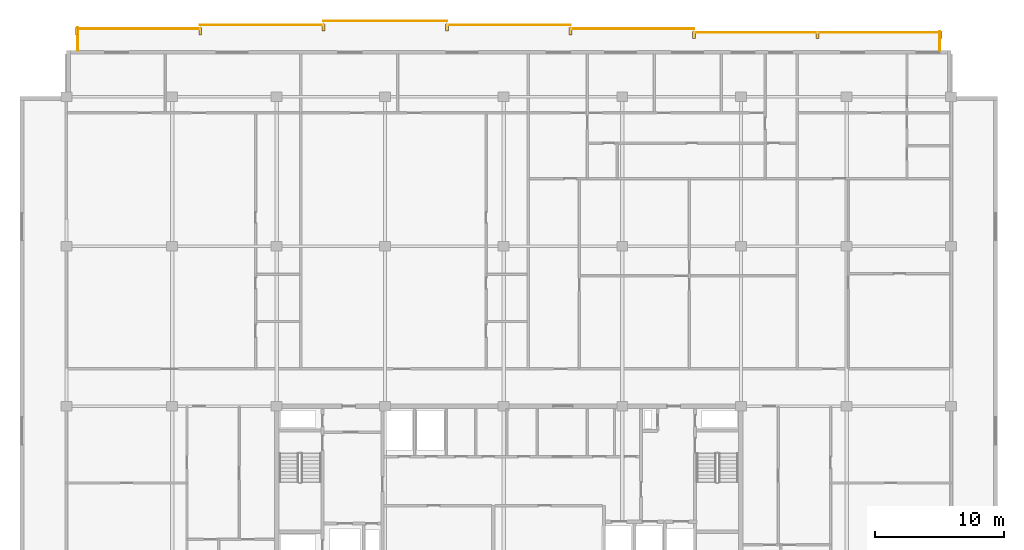
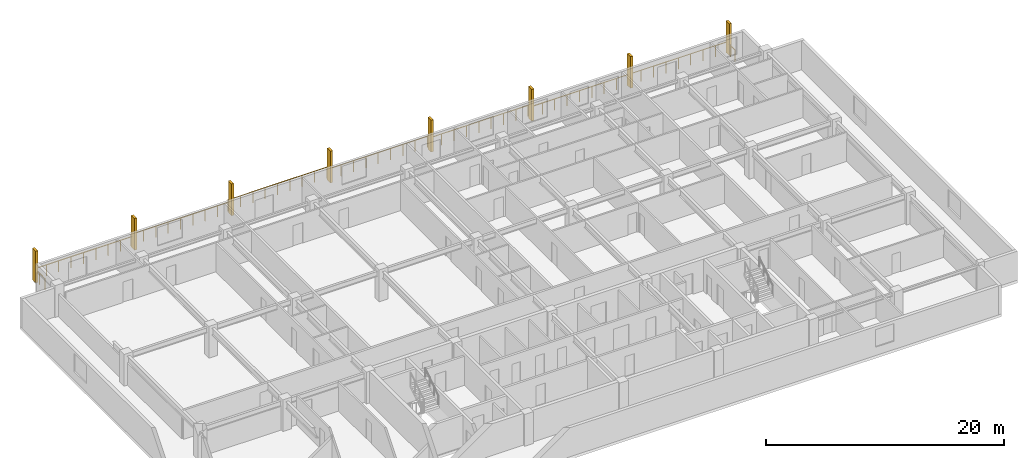
# One storey, part 22 of 22: 8 railings, 8 shading devices.
"""IFC4 building model written with IfcOpenShell, lengths in metres."""

import ifcopenshell
import ifcopenshell.guid

model = None  # the IFC model being written
_history = None  # IfcOwnerHistory: only IFC2X3 demands one
_inside = {}  # id of a spatial element -> (the spatial element, [elements in it])
_under = {}  # id of a project, library or spatial element -> (it, [spatial elements below it])
_declared = {}  # id of a project -> (the project, [libraries it declares])
_typed = {}  # id of a type object -> (the type object, [elements of that type])
_made_of = {}  # id of a material, layer set ... -> (it, [elements and type objects made of it])


def new_model(schema):
    """Start an empty IFC model of exactly this schema.

    Asked for "IFC4X3", IfcOpenShell would pick the latest addendum, in which some entities
    have other attributes; the version numbers below select the first issue.
    IFC2X3 requires an IfcOwnerHistory on every rooted entity: one is made here for all.
    """
    global model, _history
    if schema == "IFC4X3":
        model = ifcopenshell.file(schema_version=(4, 3, 0, 0))
    else:
        model = ifcopenshell.file(schema=schema)
    _inside.clear()
    _under.clear()
    _declared.clear()
    _typed.clear()
    _made_of.clear()
    _history = None
    if model.schema == "IFC2X3":
        org = make("IfcOrganization", Name="unknown")
        user = make(
            "IfcPersonAndOrganization",
            ThePerson=make("IfcPerson", FamilyName="unknown"),
            TheOrganization=org,
        )
        app = make(
            "IfcApplication",
            ApplicationDeveloper=org,
            Version="unknown",
            ApplicationFullName="unknown",
            ApplicationIdentifier="unknown",
        )
        _history = make(
            "IfcOwnerHistory",
            OwningUser=user,
            OwningApplication=app,
            ChangeAction="ADDED",
            CreationDate=0,
        )
    return model


def make(cls, **values):
    """One entity of the class cls with the attributes given. An attribute that is None is left unset."""
    return model.create_entity(
        cls, **{name: value for name, value in values.items() if value is not None}
    )


def rooted(cls, **values):
    """An entity with a GlobalId (a new one), such as an element, a storey or a relation."""
    return make(cls, GlobalId=ifcopenshell.guid.new(), OwnerHistory=_history, **values)


def si_unit(unit_type, name, prefix=None):
    """IfcSIUnit, for example si_unit("LENGTHUNIT", "METRE", prefix="MILLI")."""
    return make("IfcSIUnit", UnitType=unit_type, Prefix=prefix, Name=name)


def assignment(units):
    """IfcUnitAssignment: the units of a project."""
    return None if units is None else make("IfcUnitAssignment", Units=units)


def point(xyz):
    """IfcCartesianPoint."""
    return None if xyz is None else make("IfcCartesianPoint", Coordinates=xyz)


def direction(xyz):
    """IfcDirection."""
    return None if xyz is None else make("IfcDirection", DirectionRatios=xyz)


def frame(location, z_axis=None, x_axis=None):
    """IfcAxis2Placement3D, a coordinate frame: its origin and axes. An axis left out is left unset."""
    return make(
        "IfcAxis2Placement3D",
        Location=point(location),
        Axis=direction(z_axis),
        RefDirection=direction(x_axis),
    )


def frame_2d(location, x_axis=None):
    """IfcAxis2Placement2D, a coordinate frame in the plane: its origin and x axis."""
    return make(
        "IfcAxis2Placement2D", Location=point(location), RefDirection=direction(x_axis)
    )


def origin():
    """The frame at (0, 0, 0) with its axes left unset."""
    return frame((0.0, 0.0, 0.0))


def origin_2d():
    """The frame at (0, 0) in the plane with its x axis left unset."""
    return frame_2d((0.0, 0.0))


def place(relative_to, where):
    """IfcLocalPlacement: puts the frame where relative to a parent placement (None: the world)."""
    return make(
        "IfcLocalPlacement", PlacementRelTo=relative_to, RelativePlacement=where
    )


def context(
    kind, dimensions, precision=None, world=None, true_north=None, identifier=None
):
    """IfcGeometricRepresentationContext, for example the 3D "Model" context."""
    return make(
        "IfcGeometricRepresentationContext",
        ContextIdentifier=identifier,
        ContextType=kind,
        CoordinateSpaceDimension=dimensions,
        Precision=precision,
        WorldCoordinateSystem=world,
        TrueNorth=true_north,
    )


def subcontext(parent, identifier, kind, view, scale=None):
    """IfcGeometricRepresentationSubContext, for example "Body" below "Model"."""
    return make(
        "IfcGeometricRepresentationSubContext",
        ContextIdentifier=identifier,
        ContextType=kind,
        ParentContext=parent,
        TargetScale=scale,
        TargetView=view,
    )


def project(units=None, contexts=None):
    """IfcProject with its units and contexts."""
    return rooted(
        "IfcProject",
        Name="project",
        RepresentationContexts=contexts,
        UnitsInContext=assignment(units),
    )


def spatial(cls, under=None, at=None, **own):
    """A site, building, storey or space (cls), placed at a placement, below another one or the project."""
    s = rooted(cls, ObjectPlacement=at, **own)
    if under is not None:
        _under.setdefault(under.id(), (under, []))[1].append(s)
    return s


def profile(cls, at=None, kind="AREA", **sizes):
    """A parametric profile (cls). Its sizes go by their IFC names, for example OverallWidth=200.0."""
    return make(cls, ProfileType=kind, Position=at, **sizes)


def rectangle(**sizes):
    """IfcRectangleProfileDef."""
    return profile("IfcRectangleProfileDef", **sizes)


def circle(**sizes):
    """IfcCircleProfileDef."""
    return profile("IfcCircleProfileDef", **sizes)


def extrude(swept, where, along, depth):
    """IfcExtrudedAreaSolid: the profile swept, set in the frame where, extruded along a direction by depth."""
    return make(
        "IfcExtrudedAreaSolid",
        SweptArea=swept,
        Position=where,
        ExtrudedDirection=direction(along),
        Depth=depth,
    )


def shape(context_of_items, identifier, shape_type, items):
    """IfcShapeRepresentation: the items that make up one representation, for example the "Body"."""
    return make(
        "IfcShapeRepresentation",
        ContextOfItems=context_of_items,
        RepresentationIdentifier=identifier,
        RepresentationType=shape_type,
        Items=items,
    )


def material(Name=None, Category=None):
    """IfcMaterial."""
    return make("IfcMaterial", Name=Name, Category=Category)


def made_of(thing, what):
    """Note that an element or type object is made of a material, layer set ...; save() writes the relation."""
    if what is not None:
        _made_of.setdefault(what.id(), (what, []))[1].append(thing)
    return thing


def type_object(cls, material=None, **own):
    """A type object (cls), such as IfcWallType, which elements share."""
    return made_of(rooted(cls, **own), material)


def element(
    cls,
    number,
    at=None,
    inside=None,
    cuts=None,
    type_object=None,
    material=None,
    context=None,
    identifier="Body",
    shape_type=None,
    held_by="IfcProductDefinitionShape",
    body=None,
    shapes=None,
    **own,
):
    """One element of the class cls, such as IfcWall. Its Tag is "e" and its number.

    at: its placement. inside: the storey or other place that contains it. cuts: it is an
    opening in that element (IfcRelVoidsElement). A single representation is given by context,
    identifier, shape_type and body (its items); several are given by shapes. held_by: the class
    of the entity that holds the representations. save() writes the other relations.
    """
    e = rooted(cls, Tag="e%d" % number, ObjectPlacement=at, **own)
    if body is not None:
        shapes = [shape(context, identifier, shape_type, body)]
    if shapes is not None:
        e.Representation = make(held_by, Representations=shapes)
    if inside is not None:
        _inside.setdefault(inside.id(), (inside, []))[1].append(e)
    if cuts is not None:
        rooted(
            "IfcRelVoidsElement", RelatingBuildingElement=cuts, RelatedOpeningElement=e
        )
    if type_object is not None:
        _typed.setdefault(type_object.id(), (type_object, []))[1].append(e)
    return made_of(e, material)


def aggregate(whole, parts):
    """IfcRelAggregates: a whole, such as a stair, and the parts it consists of."""
    return rooted("IfcRelAggregates", RelatingObject=whole, RelatedObjects=parts)


def save(model, path):
    """Write the relations noted so far, then the file.

    IfcRelAggregates (storeys below a building ...), IfcRelContainedInSpatialStructure (elements
    in a storey), IfcRelDefinesByType, IfcRelAssociatesMaterial and IfcRelDeclares: one each for
    every whole, place, type object, material and project.
    """
    for whole, parts in _under.values():
        aggregate(whole, parts)
    for where, things in _inside.values():
        rooted(
            "IfcRelContainedInSpatialStructure",
            RelatedElements=things,
            RelatingStructure=where,
        )
    for kind, things in _typed.values():
        rooted("IfcRelDefinesByType", RelatedObjects=things, RelatingType=kind)
    for what, things in _made_of.values():
        rooted("IfcRelAssociatesMaterial", RelatedObjects=things, RelatingMaterial=what)
    for by, libraries in _declared.values():
        rooted("IfcRelDeclares", RelatingContext=by, RelatedDefinitions=libraries)
    model.write(path)


model = new_model("IFC4")

# Units and contexts
model_context = context("Model", 3, precision=1e-05, world=origin(), true_north=direction((0.0, 1.0)))
body_context = subcontext(model_context, "Body", "Model", "MODEL_VIEW")
ifc_project = project(units=[si_unit("LENGTHUNIT", "METRE"), si_unit("AREAUNIT", "SQUARE_METRE"), si_unit("VOLUMEUNIT", "CUBIC_METRE"), si_unit("PLANEANGLEUNIT", "RADIAN"), si_unit("MASSUNIT", "GRAM", prefix="KILO")], contexts=[model_context])

# Site, building, storey
site_placement = place(None, origin())
site = spatial("IfcSite", under=ifc_project, at=site_placement, CompositionType="ELEMENT")
building_placement = place(site_placement, origin())
building = spatial("IfcBuilding", under=site, at=building_placement, Name="Korimba Cascade Residences", CompositionType="ELEMENT")
storey_placement = place(building_placement, frame((0.0, 0.0, 191.35009765625)))
storey = spatial("IfcBuildingStorey", under=building, at=storey_placement, Name="L55", CompositionType="ELEMENT", Elevation=191.35009765625)

# Railings
ifc_material_1 = material(Name="Laminated Glass and Bronze Balustrade", Category="glass")
railing_type = type_object("IfcRailingType", Name="RLG-LOG-1150", PredefinedType="BALUSTRADE", material=ifc_material_1)
railing_1_placement = place(storey_placement, frame((127.52001953125, 94.800048828125, 0.0)))
element("IfcRailing", 1, at=railing_1_placement, inside=storey, type_object=railing_type, Name="L55 Perimeter Guardrail RLG-L55-T1-LOG-01", PredefinedType="BALUSTRADE", context=body_context, shape_type="SweptSolid", body=[
    extrude(circle(Radius=0.02392578125, at=origin_2d()), frame((0.0, 0.0, 1.1259765625), z_axis=(0.0, 1.0, 0.0), x_axis=(-1.0, 0.0, 0.0)), (0.0, 0.0, 1.0), 1.449951171875),
    extrude(circle(Radius=0.02099609375, at=origin_2d()), origin(), (0.0, 0.0, 1.0), 1.101806640625),
    extrude(circle(Radius=0.02099609375, at=origin_2d()), frame((0.0, 0.72509765625, 0.0)), (0.0, 0.0, 1.0), 1.101806640625),
    extrude(circle(Radius=0.02099609375, at=origin_2d()), frame((0.0, 1.449951171875, 0.0)), (0.0, 0.0, 1.0), 1.101806640625),
])
railing_2_placement = place(storey_placement, frame((127.60009765625, 96.169921875, 0.0)))
element("IfcRailing", 2, at=railing_2_placement, inside=storey, type_object=railing_type, Name="L55 Perimeter Guardrail RLG-L55-T1-LOG-02", PredefinedType="BALUSTRADE", context=body_context, shape_type="SweptSolid", body=[
    extrude(circle(Radius=0.02392578125, at=origin_2d()), frame((0.0, 0.0, 1.1259765625), z_axis=(-1.0, 0.0, 0.0), x_axis=(0.0, -1.0, 0.0)), (0.0, 0.0, 1.0), 19.14306640625),
    extrude(circle(Radius=0.02099609375, at=origin_2d()), origin(), (0.0, 0.0, 1.0), 1.101806640625),
    extrude(circle(Radius=0.02099609375, at=origin_2d()), frame((-1.196533203125, 0.0, 0.0)), (0.0, 0.0, 1.0), 1.101806640625),
    extrude(circle(Radius=0.02099609375, at=origin_2d()), frame((-2.392822265625, 0.0, 0.0)), (0.0, 0.0, 1.0), 1.101806640625),
    extrude(circle(Radius=0.02099609375, at=origin_2d()), frame((-3.58935546875, 0.0, 0.0)), (0.0, 0.0, 1.0), 1.101806640625),
    extrude(circle(Radius=0.02099609375, at=origin_2d()), frame((-4.78564453125, 0.0, 0.0)), (0.0, 0.0, 1.0), 1.101806640625),
    extrude(circle(Radius=0.02099609375, at=origin_2d()), frame((-5.982177734375, 0.0, 0.0)), (0.0, 0.0, 1.0), 1.101806640625),
    extrude(circle(Radius=0.02099609375, at=origin_2d()), frame((-7.1787109375, 0.0, 0.0)), (0.0, 0.0, 1.0), 1.101806640625),
    extrude(circle(Radius=0.02099609375, at=origin_2d()), frame((-8.375, 0.0, 0.0)), (0.0, 0.0, 1.0), 1.101806640625),
    extrude(circle(Radius=0.02099609375, at=origin_2d()), frame((-9.571533203125, 0.0, 0.0)), (0.0, 0.0, 1.0), 1.101806640625),
    extrude(circle(Radius=0.02099609375, at=origin_2d()), frame((-10.76806640625, 0.0, 0.0)), (0.0, 0.0, 1.0), 1.101806640625),
    extrude(circle(Radius=0.02099609375, at=origin_2d()), frame((-11.96435546875, 0.0, 0.0)), (0.0, 0.0, 1.0), 1.101806640625),
    extrude(circle(Radius=0.02099609375, at=origin_2d()), frame((-13.160888671875, 0.0, 0.0)), (0.0, 0.0, 1.0), 1.101806640625),
    extrude(circle(Radius=0.02099609375, at=origin_2d()), frame((-14.357421875, 0.0, 0.0)), (0.0, 0.0, 1.0), 1.101806640625),
    extrude(circle(Radius=0.02099609375, at=origin_2d()), frame((-15.5537109375, 0.0, 0.0)), (0.0, 0.0, 1.0), 1.101806640625),
    extrude(circle(Radius=0.02099609375, at=origin_2d()), frame((-16.750244140625, 0.0, 0.0)), (0.0, 0.0, 1.0), 1.101806640625),
    extrude(circle(Radius=0.02099609375, at=origin_2d()), frame((-17.946533203125, 0.0, 0.0)), (0.0, 0.0, 1.0), 1.101806640625),
    extrude(circle(Radius=0.02099609375, at=origin_2d()), frame((-19.14306640625, 0.0, 0.0)), (0.0, 0.0, 1.0), 1.101806640625),
])
railing_3_placement = place(storey_placement, frame((108.45703125, 96.469970703125, 0.0)))
element("IfcRailing", 3, at=railing_3_placement, inside=storey, type_object=railing_type, Name="L55 Perimeter Guardrail RLG-L55-T1-LOG-03", PredefinedType="BALUSTRADE", context=body_context, shape_type="SweptSolid", body=[
    extrude(circle(Radius=0.02392578125, at=origin_2d()), frame((0.0, 0.0, 1.1259765625), z_axis=(-1.0, 0.0, 0.0), x_axis=(0.0, -1.0, 0.0)), (0.0, 0.0, 1.0), 9.5712890625),
    extrude(circle(Radius=0.02099609375, at=origin_2d()), origin(), (0.0, 0.0, 1.0), 1.101806640625),
    extrude(circle(Radius=0.02099609375, at=origin_2d()), frame((-1.1962890625, 0.0, 0.0)), (0.0, 0.0, 1.0), 1.101806640625),
    extrude(circle(Radius=0.02099609375, at=origin_2d()), frame((-2.392822265625, 0.0, 0.0)), (0.0, 0.0, 1.0), 1.101806640625),
    extrude(circle(Radius=0.02099609375, at=origin_2d()), frame((-3.58935546875, 0.0, 0.0)), (0.0, 0.0, 1.0), 1.101806640625),
    extrude(circle(Radius=0.02099609375, at=origin_2d()), frame((-4.78564453125, 0.0, 0.0)), (0.0, 0.0, 1.0), 1.101806640625),
    extrude(circle(Radius=0.02099609375, at=origin_2d()), frame((-5.98193359375, 0.0, 0.0)), (0.0, 0.0, 1.0), 1.101806640625),
    extrude(circle(Radius=0.02099609375, at=origin_2d()), frame((-7.178466796875, 0.0, 0.0)), (0.0, 0.0, 1.0), 1.101806640625),
    extrude(circle(Radius=0.02099609375, at=origin_2d()), frame((-8.375, 0.0, 0.0)), (0.0, 0.0, 1.0), 1.101806640625),
    extrude(circle(Radius=0.02099609375, at=origin_2d()), frame((-9.5712890625, 0.0, 0.0)), (0.0, 0.0, 1.0), 1.101806640625),
])
railing_4_placement = place(storey_placement, frame((98.8857421875, 96.77001953125, 0.0)))
element("IfcRailing", 4, at=railing_4_placement, inside=storey, type_object=railing_type, Name="L55 Perimeter Guardrail RLG-L55-T1-LOG-04", PredefinedType="BALUSTRADE", context=body_context, shape_type="SweptSolid", body=[
    extrude(circle(Radius=0.02392578125, at=origin_2d()), frame((0.0, 0.0, 1.1259765625), z_axis=(-1.0, 0.0, 0.0), x_axis=(0.0, -1.0, 0.0)), (0.0, 0.0, 1.0), 9.571533203125),
    extrude(circle(Radius=0.02099609375, at=origin_2d()), origin(), (0.0, 0.0, 1.0), 1.101806640625),
    extrude(circle(Radius=0.02099609375, at=origin_2d()), frame((-1.196533203125, 0.0, 0.0)), (0.0, 0.0, 1.0), 1.101806640625),
    extrude(circle(Radius=0.02099609375, at=origin_2d()), frame((-2.392822265625, 0.0, 0.0)), (0.0, 0.0, 1.0), 1.101806640625),
    extrude(circle(Radius=0.02099609375, at=origin_2d()), frame((-3.58935546875, 0.0, 0.0)), (0.0, 0.0, 1.0), 1.101806640625),
    extrude(circle(Radius=0.02099609375, at=origin_2d()), frame((-4.78564453125, 0.0, 0.0)), (0.0, 0.0, 1.0), 1.101806640625),
    extrude(circle(Radius=0.02099609375, at=origin_2d()), frame((-5.982177734375, 0.0, 0.0)), (0.0, 0.0, 1.0), 1.101806640625),
    extrude(circle(Radius=0.02099609375, at=origin_2d()), frame((-7.1787109375, 0.0, 0.0)), (0.0, 0.0, 1.0), 1.101806640625),
    extrude(circle(Radius=0.02099609375, at=origin_2d()), frame((-8.375, 0.0, 0.0)), (0.0, 0.0, 1.0), 1.101806640625),
    extrude(circle(Radius=0.02099609375, at=origin_2d()), frame((-9.571533203125, 0.0, 0.0)), (0.0, 0.0, 1.0), 1.101806640625),
])
railing_5_placement = place(storey_placement, frame((89.314208984375, 97.070068359375, 0.0)))
element("IfcRailing", 5, at=railing_5_placement, inside=storey, type_object=railing_type, Name="L55 Perimeter Guardrail RLG-L55-T1-LOG-05", PredefinedType="BALUSTRADE", context=body_context, shape_type="SweptSolid", body=[
    extrude(circle(Radius=0.02392578125, at=origin_2d()), frame((0.0, 0.0, 1.1259765625), z_axis=(-1.0, 0.0, 0.0), x_axis=(0.0, -1.0, 0.0)), (0.0, 0.0, 1.0), 9.5712890625),
    extrude(circle(Radius=0.02099609375, at=origin_2d()), origin(), (0.0, 0.0, 1.0), 1.101806640625),
    extrude(circle(Radius=0.02099609375, at=origin_2d()), frame((-1.1962890625, 0.0, 0.0)), (0.0, 0.0, 1.0), 1.101806640625),
    extrude(circle(Radius=0.02099609375, at=origin_2d()), frame((-2.392822265625, 0.0, 0.0)), (0.0, 0.0, 1.0), 1.101806640625),
    extrude(circle(Radius=0.02099609375, at=origin_2d()), frame((-3.58935546875, 0.0, 0.0)), (0.0, 0.0, 1.0), 1.101806640625),
    extrude(circle(Radius=0.02099609375, at=origin_2d()), frame((-4.78564453125, 0.0, 0.0)), (0.0, 0.0, 1.0), 1.101806640625),
    extrude(circle(Radius=0.02099609375, at=origin_2d()), frame((-5.98193359375, 0.0, 0.0)), (0.0, 0.0, 1.0), 1.101806640625),
    extrude(circle(Radius=0.02099609375, at=origin_2d()), frame((-7.178466796875, 0.0, 0.0)), (0.0, 0.0, 1.0), 1.101806640625),
    extrude(circle(Radius=0.02099609375, at=origin_2d()), frame((-8.375, 0.0, 0.0)), (0.0, 0.0, 1.0), 1.101806640625),
    extrude(circle(Radius=0.02099609375, at=origin_2d()), frame((-9.5712890625, 0.0, 0.0)), (0.0, 0.0, 1.0), 1.101806640625),
])
railing_6_placement = place(storey_placement, frame((79.742919921875, 96.77001953125, 0.0)))
element("IfcRailing", 6, at=railing_6_placement, inside=storey, type_object=railing_type, Name="L55 Perimeter Guardrail RLG-L55-T1-LOG-06", PredefinedType="BALUSTRADE", context=body_context, shape_type="SweptSolid", body=[
    extrude(circle(Radius=0.02392578125, at=origin_2d()), frame((0.0, 0.0, 1.1259765625), z_axis=(-1.0, 0.0, 0.0), x_axis=(0.0, -1.0, 0.0)), (0.0, 0.0, 1.0), 9.571533203125),
    extrude(circle(Radius=0.02099609375, at=origin_2d()), origin(), (0.0, 0.0, 1.0), 1.101806640625),
    extrude(circle(Radius=0.02099609375, at=origin_2d()), frame((-1.196533203125, 0.0, 0.0)), (0.0, 0.0, 1.0), 1.101806640625),
    extrude(circle(Radius=0.02099609375, at=origin_2d()), frame((-2.392822265625, 0.0, 0.0)), (0.0, 0.0, 1.0), 1.101806640625),
    extrude(circle(Radius=0.02099609375, at=origin_2d()), frame((-3.58935546875, 0.0, 0.0)), (0.0, 0.0, 1.0), 1.101806640625),
    extrude(circle(Radius=0.02099609375, at=origin_2d()), frame((-4.78564453125, 0.0, 0.0)), (0.0, 0.0, 1.0), 1.101806640625),
    extrude(circle(Radius=0.02099609375, at=origin_2d()), frame((-5.982177734375, 0.0, 0.0)), (0.0, 0.0, 1.0), 1.101806640625),
    extrude(circle(Radius=0.02099609375, at=origin_2d()), frame((-7.1787109375, 0.0, 0.0)), (0.0, 0.0, 1.0), 1.101806640625),
    extrude(circle(Radius=0.02099609375, at=origin_2d()), frame((-8.375, 0.0, 0.0)), (0.0, 0.0, 1.0), 1.101806640625),
    extrude(circle(Radius=0.02099609375, at=origin_2d()), frame((-9.571533203125, 0.0, 0.0)), (0.0, 0.0, 1.0), 1.101806640625),
])
railing_7_placement = place(storey_placement, frame((70.17138671875, 96.469970703125, 0.0)))
element("IfcRailing", 7, at=railing_7_placement, inside=storey, type_object=railing_type, Name="L55 Perimeter Guardrail RLG-L55-T1-LOG-07", PredefinedType="BALUSTRADE", context=body_context, shape_type="SweptSolid", body=[
    extrude(circle(Radius=0.02392578125, at=origin_2d()), frame((0.0, 0.0, 1.1259765625), z_axis=(-1.0, 0.0, 0.0), x_axis=(0.0, -1.0, 0.0)), (0.0, 0.0, 1.0), 9.5712890625),
    extrude(circle(Radius=0.02099609375, at=origin_2d()), origin(), (0.0, 0.0, 1.0), 1.101806640625),
    extrude(circle(Radius=0.02099609375, at=origin_2d()), frame((-1.1962890625, 0.0, 0.0)), (0.0, 0.0, 1.0), 1.101806640625),
    extrude(circle(Radius=0.02099609375, at=origin_2d()), frame((-2.392822265625, 0.0, 0.0)), (0.0, 0.0, 1.0), 1.101806640625),
    extrude(circle(Radius=0.02099609375, at=origin_2d()), frame((-3.58935546875, 0.0, 0.0)), (0.0, 0.0, 1.0), 1.101806640625),
    extrude(circle(Radius=0.02099609375, at=origin_2d()), frame((-4.78564453125, 0.0, 0.0)), (0.0, 0.0, 1.0), 1.101806640625),
    extrude(circle(Radius=0.02099609375, at=origin_2d()), frame((-5.98193359375, 0.0, 0.0)), (0.0, 0.0, 1.0), 1.101806640625),
    extrude(circle(Radius=0.02099609375, at=origin_2d()), frame((-7.178466796875, 0.0, 0.0)), (0.0, 0.0, 1.0), 1.101806640625),
    extrude(circle(Radius=0.02099609375, at=origin_2d()), frame((-8.375, 0.0, 0.0)), (0.0, 0.0, 1.0), 1.101806640625),
    extrude(circle(Radius=0.02099609375, at=origin_2d()), frame((-9.5712890625, 0.0, 0.0)), (0.0, 0.0, 1.0), 1.101806640625),
])
railing_8_placement = place(storey_placement, frame((60.679931640625, 96.550048828125, 0.0)))
element("IfcRailing", 8, at=railing_8_placement, inside=storey, type_object=railing_type, Name="L55 Perimeter Guardrail RLG-L55-T1-LOG-08", PredefinedType="BALUSTRADE", context=body_context, shape_type="SweptSolid", body=[
    extrude(circle(Radius=0.02392578125, at=origin_2d()), frame((0.0, 0.0, 1.1259765625), z_axis=(0.0, -1.0, 0.0), x_axis=(1.0, 0.0, 0.0)), (0.0, 0.0, 1.0), 1.75),
    extrude(circle(Radius=0.02099609375, at=origin_2d()), origin(), (0.0, 0.0, 1.0), 1.101806640625),
    extrude(circle(Radius=0.02099609375, at=origin_2d()), frame((0.0, -0.875, 0.0)), (0.0, 0.0, 1.0), 1.101806640625),
    extrude(circle(Radius=0.02099609375, at=origin_2d()), frame((0.0, -1.75, 0.0)), (0.0, 0.0, 1.0), 1.101806640625),
])

# Shading devices
ifc_material_2 = material(Name="Honed Sandstone Precast Fin", Category="masonry")
shading_device_type = type_object("IfcShadingDeviceType", Name="SHD-FIN-550", PredefinedType="USERDEFINED", material=ifc_material_2)
for number, where, z_axis, x_axis, name in (
    (9, (60.60009765625, 96.27490234375, 0.0), (0.0, 0.0, 1.0), (1.0, 0.0, 0.0), "L55 T1 Warm-Stone Loggia Fin 1"),
    (10, (70.17138671875, 96.27490234375, 0.0), (0.0, 0.0, 1.0), (1.0, 0.0, 0.0), "L55 T1 Warm-Stone Loggia Fin 2"),
    (11, (79.742919921875, 96.574951171875, 0.0), (0.0, 0.0, 1.0), (1.0, 0.0, 0.0), "L55 T1 Warm-Stone Loggia Fin 3"),
    (12, (89.314208984375, 96.574951171875, 0.0), (0.0, 0.0, 1.0), (1.0, 0.0, 0.0), "L55 T1 Warm-Stone Loggia Fin 4"),
    (13, (98.8857421875, 96.27490234375, 0.0), (0.0, 0.0, 1.0), (1.0, 0.0, 0.0), "L55 T1 Warm-Stone Loggia Fin 5"),
    (14, (108.45703125, 95.97509765625, 0.0), (0.0, 0.0, 1.0), (1.0, 0.0, 0.0), "L55 T1 Warm-Stone Loggia Fin 6"),
    (15, (118.028564453125, 95.97509765625, 0.0), (0.0, 0.0, 1.0), (1.0, 0.0, 0.0), "L55 T1 Warm-Stone Loggia Fin 7"),
    (16, (127.60009765625, 95.97509765625, 0.0), (0.0, 0.0, 1.0), (1.0, 0.0, 0.0), "L55 T1 Warm-Stone Loggia Fin 8"),
):
    element("IfcShadingDevice", number, at=place(storey_placement, frame(where, z_axis=z_axis, x_axis=x_axis)), inside=storey, type_object=shading_device_type, Name=name, ObjectType="FIN", PredefinedType="USERDEFINED", context=body_context, shape_type="SweptSolid", body=[
        extrude(rectangle(XDim=0.219970703125, YDim=0.550048828125, at=origin_2d()), origin(), (0.0, 0.0, 1.0), 3.25),
    ])

save(model, "model.ifc")
